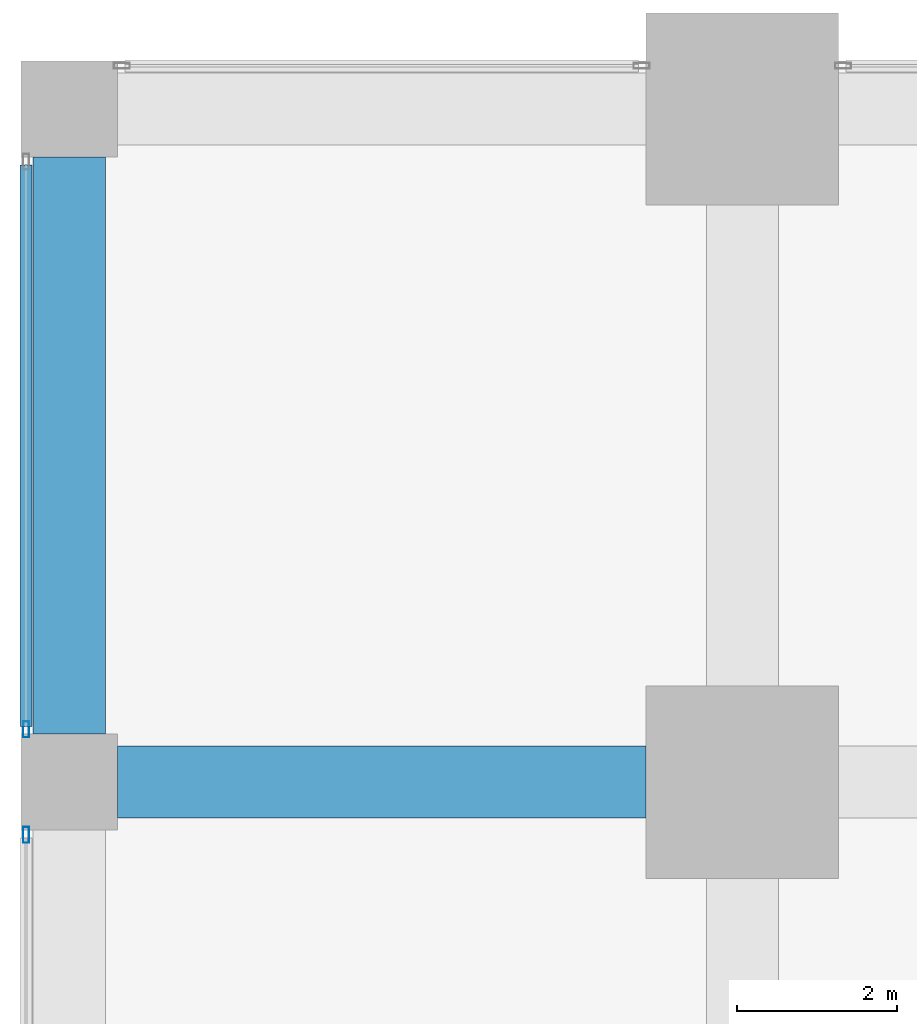
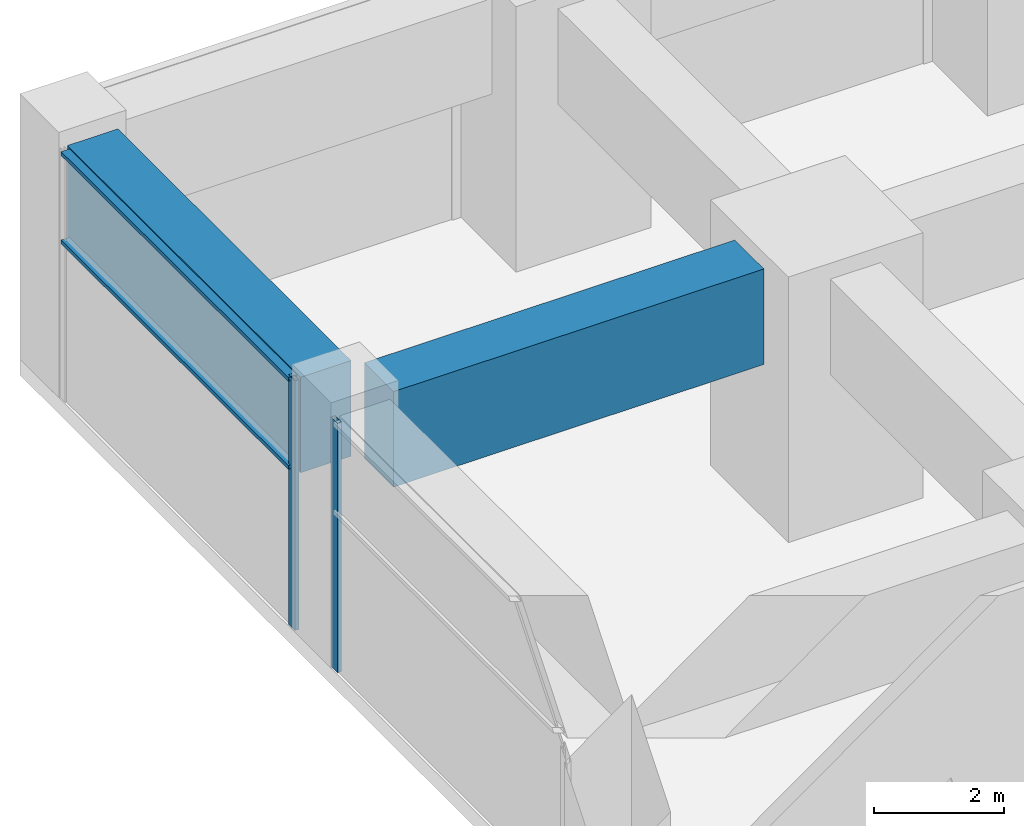
# One storey, part 21 of 49: 4 members, 2 beams, 2 elements without a shape of their own.
"""IFC4 building model written with IfcOpenShell, lengths in metres."""

from ifc_helpers import new_model, si_unit, direction, frame, origin, origin_2d, place, context, subcontext, project, spatial, rectangle, hollow_rectangle, extrude, material, material_profile, profile_set, type_object, element, aggregate, save


model = new_model("IFC4")

# Units and contexts
model_context = context("Model", 3, precision=1e-05, world=origin(), true_north=direction((0.0, 1.0)))
body_context = subcontext(model_context, "Body", "Model", "MODEL_VIEW")
ifc_project = project(units=[si_unit("LENGTHUNIT", "METRE"), si_unit("AREAUNIT", "SQUARE_METRE"), si_unit("VOLUMEUNIT", "CUBIC_METRE"), si_unit("PLANEANGLEUNIT", "RADIAN"), si_unit("MASSUNIT", "GRAM", prefix="KILO")], contexts=[model_context])

# Site, building, storey
site_placement = place(None, origin())
site = spatial("IfcSite", under=ifc_project, at=site_placement, CompositionType="ELEMENT")
building_placement = place(site_placement, origin())
building = spatial("IfcBuilding", under=site, at=building_placement, Name="Rekha Terrace Tower", CompositionType="ELEMENT")
storey_placement = place(building_placement, frame((0.0, 0.0, 5.39990234375)))
storey = spatial("IfcBuildingStorey", under=building, at=storey_placement, Name="L01", CompositionType="ELEMENT", Elevation=5.39990234375)

# Curtain wall, member
ifc_material_1 = material(Name="Aluminium framing", Category="aluminium")
curtain_wall_type = type_object("IfcCurtainWallType", Name="CW4 podium shopfront glazing", PredefinedType="USERDEFINED", material=ifc_material_1)
curtain_wall_1_placement = place(storey_placement, origin())
curtain_wall_1 = element("IfcCurtainWall", 1, at=curtain_wall_1_placement, inside=storey, type_object=curtain_wall_type, Name="CW4 shopfront curtain wall", ObjectType="SHOPFRONT CURTAIN WALL", PredefinedType="USERDEFINED")
ifc_material_2 = material(Name="Aluminium mullion section", Category="aluminium")
ifc_material_profile_1 = material_profile(ifc_material_2, hollow_rectangle(XDim=0.074951171875, YDim=0.199951171875, WallThickness=0.00390625, at=origin_2d()), Name="AL RHS 75x200")
ifc_profile_set_1 = profile_set([ifc_material_profile_1], Name="Aluminium mullion section")
member_type_1 = type_object("IfcMemberType", Name="CW4 mullion RHS 75 x 200", PredefinedType="MULLION", material=ifc_profile_set_1)
member_1_placement = place(storey_placement, frame((-0.5400390625, 51.0576171875, 0.0), z_axis=(0.0, 0.0, 1.0), x_axis=(1.0, 0.0, 0.0)))
member_1 = element("IfcMember", 2, at=member_1_placement, type_object=member_type_1, Name="CW4 mullion 2", PredefinedType="MULLION", context=body_context, shape_type="SweptSolid", body=[
    extrude(hollow_rectangle(XDim=0.074951171875, YDim=0.199951171875, WallThickness=0.00390625, at=origin_2d()), origin(), (0.0, 0.0, 1.0), 4.7001953125),
])

curtain_wall_2_placement = place(storey_placement, origin())
curtain_wall_2 = element("IfcCurtainWall", 3, at=curtain_wall_2_placement, inside=storey, type_object=curtain_wall_type, Name="CW4 shopfront curtain wall", ObjectType="SHOPFRONT CURTAIN WALL", PredefinedType="USERDEFINED")
member_2_placement = place(storey_placement, frame((-0.5400390625, 49.742431640625, 0.0), z_axis=(0.0, 0.0, 1.0), x_axis=(1.0, 0.0, 0.0)))
member_2 = element("IfcMember", 4, at=member_2_placement, type_object=member_type_1, Name="CW4 mullion 1", PredefinedType="MULLION", context=body_context, shape_type="SweptSolid", body=[
    extrude(hollow_rectangle(XDim=0.074951171875, YDim=0.199951171875, WallThickness=0.00390625, at=origin_2d()), origin(), (0.0, 0.0, 1.0), 4.7001953125),
])
aggregate(curtain_wall_2, [member_2])

# Member
ifc_material_3 = material(Name="Aluminium transom section", Category="aluminium")
ifc_material_profile_2 = material_profile(ifc_material_3, hollow_rectangle(XDim=0.14990234375, YDim=0.074951171875, WallThickness=0.0029296875, at=origin_2d()), Name="AL RHS 150x75")
ifc_profile_set_2 = profile_set([ifc_material_profile_2], Name="Aluminium transom section")
member_type_2 = type_object("IfcMemberType", Name="CW4 transom RHS 75 x 150", PredefinedType="USERDEFINED", material=ifc_profile_set_2)
member_3_placement = place(storey_placement, frame((-0.5400390625, 58.10498046875, 3.0), z_axis=(0.0, -1.0, 0.0), x_axis=(1.0, 0.0, 0.0)))
member_3 = element("IfcMember", 5, at=member_3_placement, type_object=member_type_2, Name="CW4 transom 1.2", ObjectType="TRANSOM", PredefinedType="USERDEFINED", context=body_context, shape_type="SweptSolid", body=[
    extrude(hollow_rectangle(XDim=0.14990234375, YDim=0.074951171875, WallThickness=0.0029296875, at=origin_2d()), origin(), (0.0, 0.0, 1.0), 7.010009765625),
])

member_4_placement = place(storey_placement, frame((-0.5400390625, 58.10498046875, 4.66259765625), z_axis=(0.0, -1.0, 0.0), x_axis=(1.0, 0.0, 0.0)))
member_4 = element("IfcMember", 6, at=member_4_placement, type_object=member_type_2, Name="CW4 transom 1.3", ObjectType="TRANSOM", PredefinedType="USERDEFINED", context=body_context, shape_type="SweptSolid", body=[
    extrude(hollow_rectangle(XDim=0.14990234375, YDim=0.074951171875, WallThickness=0.0029296875, at=origin_2d()), origin(), (0.0, 0.0, 1.0), 7.010009765625),
])

aggregate(curtain_wall_1, [member_1, member_3, member_4])

# Beams
ifc_material_4 = material(Name="Concrete M60", Category="concrete")
ifc_material_profile_3 = material_profile(ifc_material_4, rectangle(XDim=0.89990234375, YDim=1.800048828125, at=origin_2d()), Name="RC 900x1800")
ifc_profile_set_3 = profile_set([ifc_material_profile_3], Name="Concrete M60")
beam_type = type_object("IfcBeamType", Name="G1 900x1800 podium floor beam", PredefinedType="BEAM", material=ifc_profile_set_3)
beam_1_placement = place(storey_placement, frame((0.60009765625, 50.39990234375, 3.800048828125), z_axis=(1.0, 0.0, 0.0), x_axis=(0.0, 1.0, 0.0)))
element("IfcBeam", 7, at=beam_1_placement, inside=storey, type_object=beam_type, Name="Beam G1 1G-2G under L02", PredefinedType="BEAM", context=body_context, shape_type="SweptSolid", body=[
    extrude(rectangle(XDim=0.89990234375, YDim=1.800048828125, at=origin_2d()), origin(), (0.0, 0.0, 1.0), 6.599853515625),
])
beam_2_placement = place(storey_placement, frame((0.0, 51.0, 3.800048828125), z_axis=(0.0, 1.0, 0.0), x_axis=(-1.0, 0.0, 0.0)))
element("IfcBeam", 8, at=beam_2_placement, inside=storey, type_object=beam_type, Name="Beam G1 1G-1H under L02", PredefinedType="BEAM", context=body_context, shape_type="SweptSolid", body=[
    extrude(rectangle(XDim=0.89990234375, YDim=1.800048828125, at=origin_2d()), origin(), (0.0, 0.0, 1.0), 7.199951171875),
])

save(model, "model.ifc")
